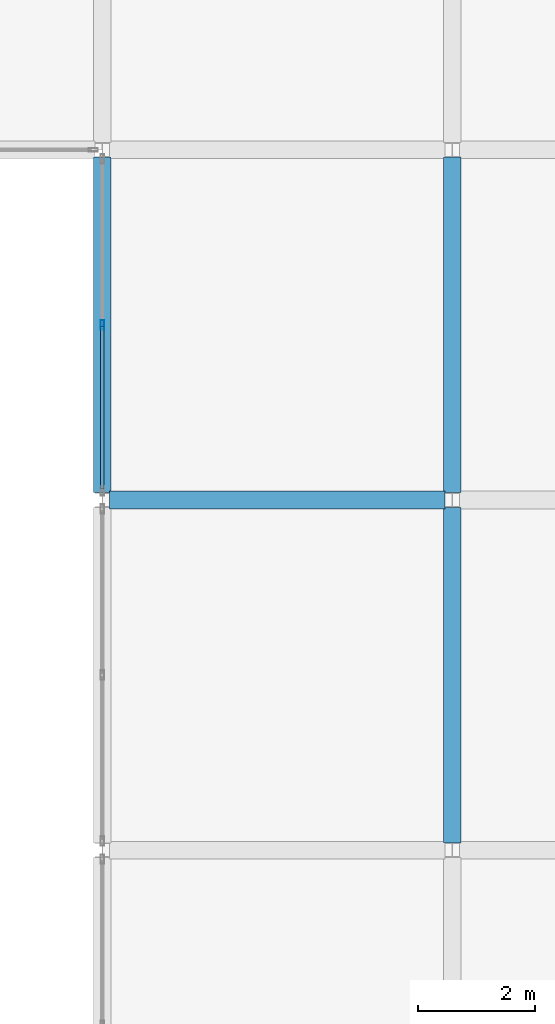
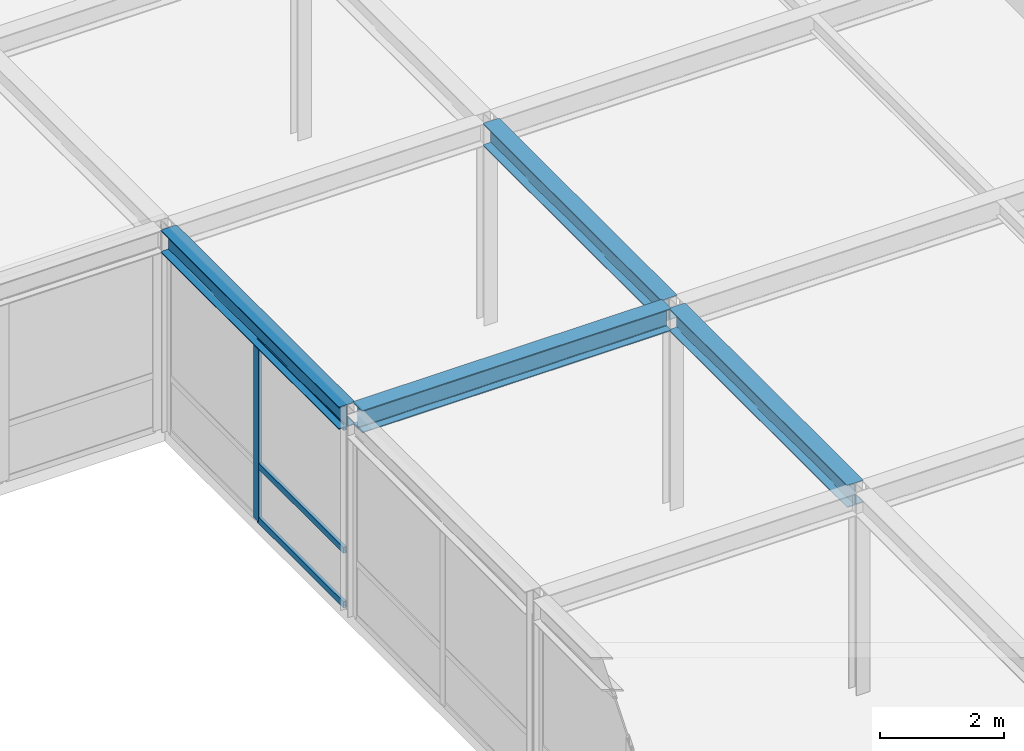
# One storey, part 90 of 111: 4 beams, 4 members, 1 element without a shape of its own.
"""IFC4 building model written with IfcOpenShell, lengths in metres."""

import ifcopenshell
import ifcopenshell.guid

model = None  # the IFC model being written
_history = None  # IfcOwnerHistory: only IFC2X3 demands one
_inside = {}  # id of a spatial element -> (the spatial element, [elements in it])
_under = {}  # id of a project, library or spatial element -> (it, [spatial elements below it])
_declared = {}  # id of a project -> (the project, [libraries it declares])
_typed = {}  # id of a type object -> (the type object, [elements of that type])
_made_of = {}  # id of a material, layer set ... -> (it, [elements and type objects made of it])


def new_model(schema):
    """Start an empty IFC model of exactly this schema.

    Asked for "IFC4X3", IfcOpenShell would pick the latest addendum, in which some entities
    have other attributes; the version numbers below select the first issue.
    IFC2X3 requires an IfcOwnerHistory on every rooted entity: one is made here for all.
    """
    global model, _history
    if schema == "IFC4X3":
        model = ifcopenshell.file(schema_version=(4, 3, 0, 0))
    else:
        model = ifcopenshell.file(schema=schema)
    _inside.clear()
    _under.clear()
    _declared.clear()
    _typed.clear()
    _made_of.clear()
    _history = None
    if model.schema == "IFC2X3":
        org = make("IfcOrganization", Name="unknown")
        user = make(
            "IfcPersonAndOrganization",
            ThePerson=make("IfcPerson", FamilyName="unknown"),
            TheOrganization=org,
        )
        app = make(
            "IfcApplication",
            ApplicationDeveloper=org,
            Version="unknown",
            ApplicationFullName="unknown",
            ApplicationIdentifier="unknown",
        )
        _history = make(
            "IfcOwnerHistory",
            OwningUser=user,
            OwningApplication=app,
            ChangeAction="ADDED",
            CreationDate=0,
        )
    return model


def make(cls, **values):
    """One entity of the class cls with the attributes given. An attribute that is None is left unset."""
    return model.create_entity(
        cls, **{name: value for name, value in values.items() if value is not None}
    )


def rooted(cls, **values):
    """An entity with a GlobalId (a new one), such as an element, a storey or a relation."""
    return make(cls, GlobalId=ifcopenshell.guid.new(), OwnerHistory=_history, **values)


def si_unit(unit_type, name, prefix=None):
    """IfcSIUnit, for example si_unit("LENGTHUNIT", "METRE", prefix="MILLI")."""
    return make("IfcSIUnit", UnitType=unit_type, Prefix=prefix, Name=name)


def assignment(units):
    """IfcUnitAssignment: the units of a project."""
    return None if units is None else make("IfcUnitAssignment", Units=units)


def point(xyz):
    """IfcCartesianPoint."""
    return None if xyz is None else make("IfcCartesianPoint", Coordinates=xyz)


def direction(xyz):
    """IfcDirection."""
    return None if xyz is None else make("IfcDirection", DirectionRatios=xyz)


def frame(location, z_axis=None, x_axis=None):
    """IfcAxis2Placement3D, a coordinate frame: its origin and axes. An axis left out is left unset."""
    return make(
        "IfcAxis2Placement3D",
        Location=point(location),
        Axis=direction(z_axis),
        RefDirection=direction(x_axis),
    )


def frame_2d(location, x_axis=None):
    """IfcAxis2Placement2D, a coordinate frame in the plane: its origin and x axis."""
    return make(
        "IfcAxis2Placement2D", Location=point(location), RefDirection=direction(x_axis)
    )


def origin():
    """The frame at (0, 0, 0) with its axes left unset."""
    return frame((0.0, 0.0, 0.0))


def origin_2d():
    """The frame at (0, 0) in the plane with its x axis left unset."""
    return frame_2d((0.0, 0.0))


def place(relative_to, where):
    """IfcLocalPlacement: puts the frame where relative to a parent placement (None: the world)."""
    return make(
        "IfcLocalPlacement", PlacementRelTo=relative_to, RelativePlacement=where
    )


def context(
    kind, dimensions, precision=None, world=None, true_north=None, identifier=None
):
    """IfcGeometricRepresentationContext, for example the 3D "Model" context."""
    return make(
        "IfcGeometricRepresentationContext",
        ContextIdentifier=identifier,
        ContextType=kind,
        CoordinateSpaceDimension=dimensions,
        Precision=precision,
        WorldCoordinateSystem=world,
        TrueNorth=true_north,
    )


def subcontext(parent, identifier, kind, view, scale=None):
    """IfcGeometricRepresentationSubContext, for example "Body" below "Model"."""
    return make(
        "IfcGeometricRepresentationSubContext",
        ContextIdentifier=identifier,
        ContextType=kind,
        ParentContext=parent,
        TargetScale=scale,
        TargetView=view,
    )


def project(units=None, contexts=None):
    """IfcProject with its units and contexts."""
    return rooted(
        "IfcProject",
        Name="project",
        RepresentationContexts=contexts,
        UnitsInContext=assignment(units),
    )


def spatial(cls, under=None, at=None, **own):
    """A site, building, storey or space (cls), placed at a placement, below another one or the project."""
    s = rooted(cls, ObjectPlacement=at, **own)
    if under is not None:
        _under.setdefault(under.id(), (under, []))[1].append(s)
    return s


def profile(cls, at=None, kind="AREA", **sizes):
    """A parametric profile (cls). Its sizes go by their IFC names, for example OverallWidth=200.0."""
    return make(cls, ProfileType=kind, Position=at, **sizes)


def hollow_rectangle(**sizes):
    """IfcRectangleHollowProfileDef."""
    return profile("IfcRectangleHollowProfileDef", **sizes)


def i_section(**sizes):
    """IfcIShapeProfileDef."""
    return profile("IfcIShapeProfileDef", **sizes)


def extrude(swept, where, along, depth):
    """IfcExtrudedAreaSolid: the profile swept, set in the frame where, extruded along a direction by depth."""
    return make(
        "IfcExtrudedAreaSolid",
        SweptArea=swept,
        Position=where,
        ExtrudedDirection=direction(along),
        Depth=depth,
    )


def shape(context_of_items, identifier, shape_type, items):
    """IfcShapeRepresentation: the items that make up one representation, for example the "Body"."""
    return make(
        "IfcShapeRepresentation",
        ContextOfItems=context_of_items,
        RepresentationIdentifier=identifier,
        RepresentationType=shape_type,
        Items=items,
    )


def material(Name=None, Category=None):
    """IfcMaterial."""
    return make("IfcMaterial", Name=Name, Category=Category)


def layer(
    of_material, thickness, ventilated=None, Name=None, Category=None, Priority=None
):
    """IfcMaterialLayer: one layer of a wall or slab, of a material (None: an air gap)."""
    return make(
        "IfcMaterialLayer",
        Material=of_material,
        LayerThickness=thickness,
        IsVentilated=ventilated,
        Name=Name,
        Category=Category,
        Priority=Priority,
    )


def layer_set(layers, Name=None):
    """IfcMaterialLayerSet."""
    return make("IfcMaterialLayerSet", MaterialLayers=layers, LayerSetName=Name)


def material_profile(
    of_material, cross_section, Name=None, Category=None, Priority=None
):
    """IfcMaterialProfile: a cross section and its material."""
    return make(
        "IfcMaterialProfile",
        Name=Name,
        Material=of_material,
        Profile=cross_section,
        Priority=Priority,
        Category=Category,
    )


def profile_set(profiles, Name=None, composite=None):
    """IfcMaterialProfileSet."""
    return make(
        "IfcMaterialProfileSet",
        Name=Name,
        MaterialProfiles=profiles,
        CompositeProfile=composite,
    )


def made_of(thing, what):
    """Note that an element or type object is made of a material, layer set ...; save() writes the relation."""
    if what is not None:
        _made_of.setdefault(what.id(), (what, []))[1].append(thing)
    return thing


def type_object(cls, material=None, **own):
    """A type object (cls), such as IfcWallType, which elements share."""
    return made_of(rooted(cls, **own), material)


def element(
    cls,
    number,
    at=None,
    inside=None,
    cuts=None,
    type_object=None,
    material=None,
    context=None,
    identifier="Body",
    shape_type=None,
    held_by="IfcProductDefinitionShape",
    body=None,
    shapes=None,
    **own,
):
    """One element of the class cls, such as IfcWall. Its Tag is "e" and its number.

    at: its placement. inside: the storey or other place that contains it. cuts: it is an
    opening in that element (IfcRelVoidsElement). A single representation is given by context,
    identifier, shape_type and body (its items); several are given by shapes. held_by: the class
    of the entity that holds the representations. save() writes the other relations.
    """
    e = rooted(cls, Tag="e%d" % number, ObjectPlacement=at, **own)
    if body is not None:
        shapes = [shape(context, identifier, shape_type, body)]
    if shapes is not None:
        e.Representation = make(held_by, Representations=shapes)
    if inside is not None:
        _inside.setdefault(inside.id(), (inside, []))[1].append(e)
    if cuts is not None:
        rooted(
            "IfcRelVoidsElement", RelatingBuildingElement=cuts, RelatedOpeningElement=e
        )
    if type_object is not None:
        _typed.setdefault(type_object.id(), (type_object, []))[1].append(e)
    return made_of(e, material)


def aggregate(whole, parts):
    """IfcRelAggregates: a whole, such as a stair, and the parts it consists of."""
    return rooted("IfcRelAggregates", RelatingObject=whole, RelatedObjects=parts)


def save(model, path):
    """Write the relations noted so far, then the file.

    IfcRelAggregates (storeys below a building ...), IfcRelContainedInSpatialStructure (elements
    in a storey), IfcRelDefinesByType, IfcRelAssociatesMaterial and IfcRelDeclares: one each for
    every whole, place, type object, material and project.
    """
    for whole, parts in _under.values():
        aggregate(whole, parts)
    for where, things in _inside.values():
        rooted(
            "IfcRelContainedInSpatialStructure",
            RelatedElements=things,
            RelatingStructure=where,
        )
    for kind, things in _typed.values():
        rooted("IfcRelDefinesByType", RelatedObjects=things, RelatingType=kind)
    for what, things in _made_of.values():
        rooted("IfcRelAssociatesMaterial", RelatedObjects=things, RelatingMaterial=what)
    for by, libraries in _declared.values():
        rooted("IfcRelDeclares", RelatingContext=by, RelatedDefinitions=libraries)
    model.write(path)


model = new_model("IFC4")

# Units and contexts
model_context = context("Model", 3, precision=1e-05, world=origin(), true_north=direction((0.0, 1.0)))
body_context = subcontext(model_context, "Body", "Model", "MODEL_VIEW")
ifc_project = project(units=[si_unit("LENGTHUNIT", "METRE"), si_unit("AREAUNIT", "SQUARE_METRE"), si_unit("VOLUMEUNIT", "CUBIC_METRE"), si_unit("PLANEANGLEUNIT", "RADIAN"), si_unit("MASSUNIT", "GRAM", prefix="KILO")], contexts=[model_context])

# Site, building, storey
site_placement = place(None, origin())
site = spatial("IfcSite", under=ifc_project, at=site_placement, CompositionType="ELEMENT")
building_placement = place(site_placement, origin())
building = spatial("IfcBuilding", under=site, at=building_placement, Name="Zlatovratsky Civic Hall", CompositionType="ELEMENT")
storey_placement = place(building_placement, frame((0.0, 0.0, 16.5)))
storey = spatial("IfcBuildingStorey", under=building, at=storey_placement, Name="L04", CompositionType="ELEMENT", Elevation=16.5)

# Beams
ifc_material_1 = material(Name="Steel S355", Category="steel")
ifc_material_profile_1 = material_profile(ifc_material_1, i_section(OverallWidth=0.300048828125, OverallDepth=0.43994140625, WebThickness=0.010986328125, FlangeThickness=0.01806640625, FilletRadius=0.02197265625, at=origin_2d()), Name="45Sh1")
ifc_profile_set_1 = profile_set([ifc_material_profile_1], Name="Steel S355")
beam_type = type_object("IfcBeamType", Name="Beam_TowerLow_45Sh1", PredefinedType="BEAM", material=ifc_profile_set_1)
for number, where, z_axis, x_axis, name in (
    (1, (150.125, 60.0, 3.780029296875), (1.0, 0.0, 0.0), (0.0, 1.0, 0.0), "BM-3328"),
    (2, (150.0, 60.125, 3.780029296875), (0.0, 1.0, 0.0), (-1.0, 0.0, 0.0), "BM-3786"),
    (3, (156.0, 54.125, 3.780029296875), (0.0, 1.0, 0.0), (-1.0, 0.0, 0.0), "BM-3802"),
    (4, (156.0, 60.125, 3.780029296875), (0.0, 1.0, 0.0), (-1.0, 0.0, 0.0), "BM-3803"),
):
    element("IfcBeam", number, at=place(storey_placement, frame(where, z_axis=z_axis, x_axis=x_axis)), inside=storey, type_object=beam_type, Name=name, PredefinedType="BEAM", context=body_context, shape_type="SweptSolid", body=[
        extrude(i_section(OverallWidth=0.300048828125, OverallDepth=0.43994140625, WebThickness=0.010986328125, FlangeThickness=0.01806640625, FilletRadius=0.02197265625, at=origin_2d()), origin(), (0.0, 0.0, 1.0), 5.75),
    ])

# Curtain wall, members
ifc_material_2 = material(Name="Anodised bronze aluminium", Category="aluminium")
ifc_layer = layer(ifc_material_2, 0.159912109375)
ifc_layer_set = layer_set([ifc_layer], Name="Anodised bronze aluminium")
curtain_wall_type = type_object("IfcCurtainWallType", Name="CurtainWall_Bronze_5750x3550_18", PredefinedType="NOTDEFINED", material=ifc_layer_set)
curtain_wall_placement = place(storey_placement, origin())
curtain_wall = element("IfcCurtainWall", 5, at=curtain_wall_placement, inside=storey, type_object=curtain_wall_type, Name="CW-128", PredefinedType="NOTDEFINED")
ifc_material_profile_2 = material_profile(ifc_material_2, hollow_rectangle(XDim=0.06005859375, YDim=0.159912109375, WallThickness=0.00390625, at=origin_2d()), Name="ALU 60x160x4")
ifc_profile_set_2 = profile_set([ifc_material_profile_2], Name="Anodised bronze aluminium")
member_type_1 = type_object("IfcMemberType", Name="CW_Mullion_60x160", PredefinedType="MULLION", material=ifc_profile_set_2)
member_1_placement = place(storey_placement, frame((150.0, 63.0, 0.0), z_axis=(0.0, 0.0, 1.0), x_axis=(-1.0, 0.0, 0.0)))
member_1 = element("IfcMember", 6, at=member_1_placement, type_object=member_type_1, Name="CW-18 mullion 2", PredefinedType="MULLION", context=body_context, shape_type="SweptSolid", body=[
    extrude(hollow_rectangle(XDim=0.06005859375, YDim=0.159912109375, WallThickness=0.00390625, at=origin_2d()), origin(), (0.0, 0.0, 1.0), 3.550048828125),
])
ifc_material_profile_3 = material_profile(ifc_material_2, hollow_rectangle(XDim=0.06005859375, YDim=0.1201171875, WallThickness=0.00390625, at=origin_2d()), Name="ALU 60x120x4")
ifc_profile_set_3 = profile_set([ifc_material_profile_3], Name="Anodised bronze aluminium")
member_type_2 = type_object("IfcMemberType", Name="CW_Transom_60x120", PredefinedType="USERDEFINED", material=ifc_profile_set_3)
member_2_placement = place(storey_placement, frame((150.0, 60.18505859375, 0.030029296875), z_axis=(0.0, 1.0, 0.0), x_axis=(-1.0, 0.0, 0.0)))
member_2 = element("IfcMember", 7, at=member_2_placement, type_object=member_type_2, Name="CW-18 transom 1.1", ObjectType="TRANSOM", PredefinedType="USERDEFINED", context=body_context, shape_type="SweptSolid", body=[
    extrude(hollow_rectangle(XDim=0.06005859375, YDim=0.1201171875, WallThickness=0.00390625, at=origin_2d()), origin(), (0.0, 0.0, 1.0), 2.784912109375),
])
member_3_placement = place(storey_placement, frame((150.0, 60.18505859375, 1.10009765625), z_axis=(0.0, 1.0, 0.0), x_axis=(-1.0, 0.0, 0.0)))
member_3 = element("IfcMember", 8, at=member_3_placement, type_object=member_type_2, Name="CW-18 transom 1.2", ObjectType="TRANSOM", PredefinedType="USERDEFINED", context=body_context, shape_type="SweptSolid", body=[
    extrude(hollow_rectangle(XDim=0.06005859375, YDim=0.1201171875, WallThickness=0.00390625, at=origin_2d()), origin(), (0.0, 0.0, 1.0), 2.784912109375),
])
member_4_placement = place(storey_placement, frame((150.0, 60.18505859375, 3.52001953125), z_axis=(0.0, 1.0, 0.0), x_axis=(-1.0, 0.0, 0.0)))
member_4 = element("IfcMember", 9, at=member_4_placement, type_object=member_type_2, Name="CW-18 transom 1.3", ObjectType="TRANSOM", PredefinedType="USERDEFINED", context=body_context, shape_type="SweptSolid", body=[
    extrude(hollow_rectangle(XDim=0.06005859375, YDim=0.1201171875, WallThickness=0.00390625, at=origin_2d()), origin(), (0.0, 0.0, 1.0), 2.784912109375),
])
aggregate(curtain_wall, [member_1, member_2, member_3, member_4])

save(model, "model.ifc")
